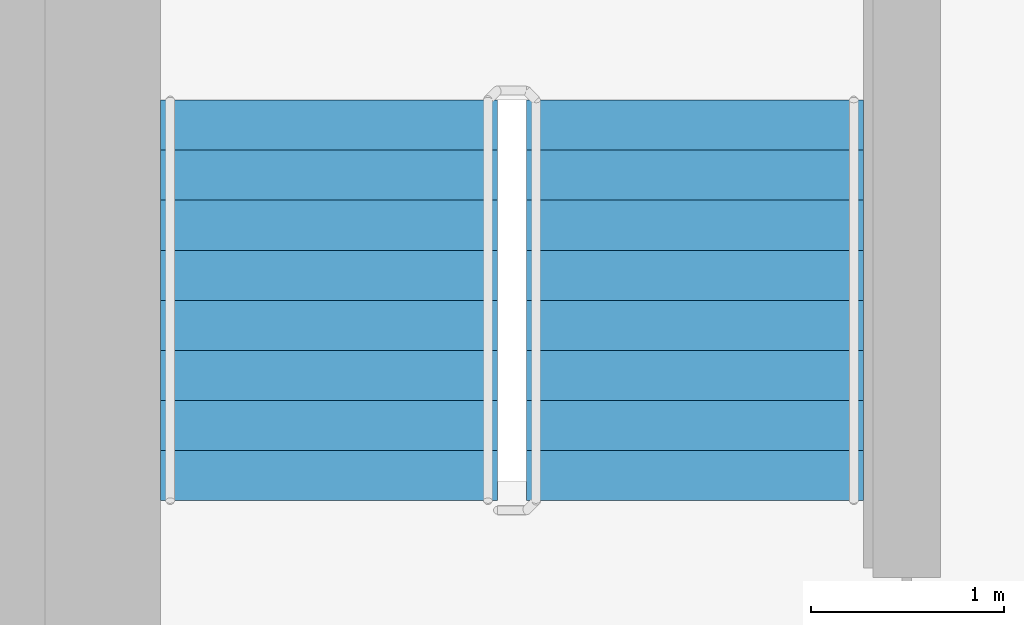
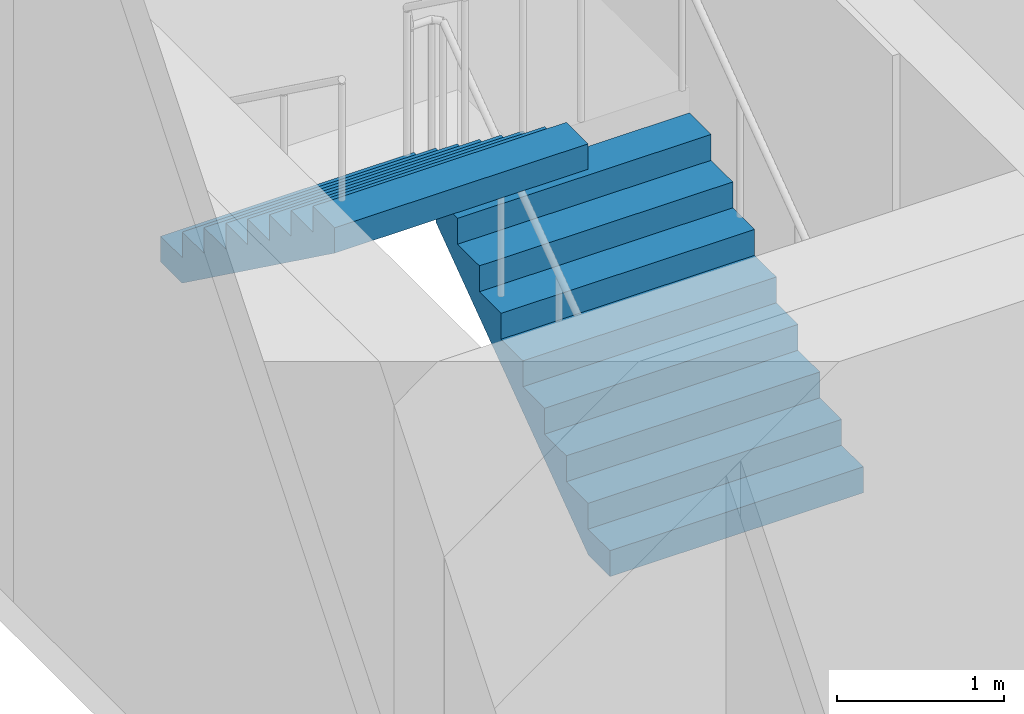
# One storey, part 15 of 18: 2 stair flights, 1 element without a shape of its own.
"""IFC4 building model written with IfcOpenShell, lengths in metres."""

from ifc_helpers import new_model, si_unit, direction, frame, origin, place, context, subcontext, project, spatial, faceted_brep, material, type_object, element, aggregate, save


model = new_model("IFC4")

# Units and contexts
model_context = context("Model", 3, precision=1e-05, world=origin(), true_north=direction((0.0, 1.0)))
body_context = subcontext(model_context, "Body", "Model", "MODEL_VIEW")
ifc_project = project(units=[si_unit("LENGTHUNIT", "METRE"), si_unit("AREAUNIT", "SQUARE_METRE"), si_unit("VOLUMEUNIT", "CUBIC_METRE"), si_unit("PLANEANGLEUNIT", "RADIAN"), si_unit("MASSUNIT", "GRAM", prefix="KILO")], contexts=[model_context])

# Site, building, storey
site_placement = place(None, origin())
site = spatial("IfcSite", under=ifc_project, at=site_placement, CompositionType="ELEMENT")
building_placement = place(site_placement, origin())
building = spatial("IfcBuilding", under=site, at=building_placement, Name="Ipe Terrace Towers", CompositionType="ELEMENT")
storey_placement = place(building_placement, frame((0.0, 0.0, 206.199951171875)))
storey = spatial("IfcBuildingStorey", under=building, at=storey_placement, Name="L57", CompositionType="ELEMENT", Elevation=206.199951171875)

# Stair, stair flights
ifc_material_1 = material(Name="Concrete C30/37", Category="concrete")
stair_type = type_object("IfcStairType", Name="Protected exit stair", PredefinedType="HALF_TURN_STAIR", material=ifc_material_1)
stair_placement = place(storey_placement, origin())
stair = element("IfcStair", 1, at=stair_placement, inside=storey, type_object=stair_type, Name="L57 Exit stair T2-C1", PredefinedType="HALF_TURN_STAIR")
ifc_material_2 = material(Name="Concrete C30/37", Category="concrete")
stair_flight_type = type_object("IfcStairFlightType", Name="Exit stair flight 1750", PredefinedType="STRAIGHT", material=ifc_material_2)
stair_flight_1_placement = place(storey_placement, frame((33.22509765625, 9.699951171875, 0.0), z_axis=(0.0, 0.0, 1.0), x_axis=(0.0, 1.0, 0.0)))
stair_flight_1 = element("IfcStairFlight", 2, at=stair_flight_1_placement, type_object=stair_flight_type, Name="T2-ST1 flight 1", NumberOfRisers=9, NumberOfTreads=8, PredefinedType="STRAIGHT", RiserHeight=0.188888889, TreadLength=0.26, context=body_context, shape_type="Brep", body=[
    faceted_brep([(0.255126953125, -0.875, 0.0), (2.080078125, -0.875, 1.325927734375), (2.080078125, -0.875, 1.51123046875), (1.820068359375, -0.875, 1.51123046875), (1.820068359375, -0.875, 1.322265625), (1.56005859375, -0.875, 1.322265625), (1.56005859375, -0.875, 1.13330078125), (1.300048828125, -0.875, 1.13330078125), (1.300048828125, -0.875, 0.9443359375), (1.0400390625, -0.875, 0.9443359375), (1.0400390625, -0.875, 0.755615234375), (0.780029296875, -0.875, 0.755615234375), (0.780029296875, -0.875, 0.566650390625), (0.52001953125, -0.875, 0.566650390625), (0.52001953125, -0.875, 0.377685546875), (0.260009765625, -0.875, 0.377685546875), (0.260009765625, -0.875, 0.18896484375), (0.0, -0.875, 0.18896484375), (0.0, -0.875, 0.0), (0.0, 0.875, 0.0), (0.0, 0.875, 0.18896484375), (0.260009765625, 0.875, 0.18896484375), (0.260009765625, 0.875, 0.377685546875), (0.52001953125, 0.875, 0.377685546875), (0.52001953125, 0.875, 0.566650390625), (0.780029296875, 0.875, 0.566650390625), (0.780029296875, 0.875, 0.755615234375), (1.0400390625, 0.875, 0.755615234375), (1.0400390625, 0.875, 0.9443359375), (1.300048828125, 0.875, 0.9443359375), (1.300048828125, 0.875, 1.13330078125), (1.56005859375, 0.875, 1.13330078125), (1.56005859375, 0.875, 1.322265625), (1.820068359375, 0.875, 1.322265625), (1.820068359375, 0.875, 1.51123046875), (2.080078125, 0.875, 1.51123046875), (2.080078125, 0.875, 1.325927734375), (0.255126953125, 0.875, 0.0), (0.0, -0.300048828125, 0.18896484375), (0.0, -0.1201171875, 0.18896484375), (0.0, -0.06005859375, 0.18896484375), (0.0, -0.030029296875, 0.18896484375), (0.0, -0.010009765625, 0.18896484375), (0.0, 0.0, 0.18896484375), (0.0, 0.010009765625, 0.18896484375), (0.0, 0.030029296875, 0.18896484375), (0.0, 0.06005859375, 0.18896484375), (0.0, 0.1201171875, 0.18896484375), (0.0, 0.300048828125, 0.18896484375), (0.0, 0.300048828125, 0.0), (0.0, 0.1201171875, 0.0), (0.0, 0.06005859375, 0.0), (0.0, 0.030029296875, 0.0), (0.0, 0.010009765625, 0.0), (0.0, 0.0, 0.0), (0.0, -0.010009765625, 0.0), (0.0, -0.030029296875, 0.0), (0.0, -0.06005859375, 0.0), (0.0, -0.1201171875, 0.0), (0.0, -0.300048828125, 0.0), (0.260009765625, -0.300048828125, 0.18896484375), (0.260009765625, -0.1201171875, 0.18896484375), (0.260009765625, -0.06005859375, 0.18896484375), (0.260009765625, -0.030029296875, 0.18896484375), (0.260009765625, -0.010009765625, 0.18896484375), (0.260009765625, 0.0, 0.18896484375), (0.260009765625, 0.010009765625, 0.18896484375), (0.260009765625, 0.030029296875, 0.18896484375), (0.260009765625, 0.06005859375, 0.18896484375), (0.260009765625, 0.1201171875, 0.18896484375), (0.260009765625, 0.300048828125, 0.18896484375), (0.260009765625, -0.300048828125, 0.377685546875), (0.260009765625, -0.1201171875, 0.377685546875), (0.260009765625, -0.06005859375, 0.377685546875), (0.260009765625, -0.030029296875, 0.377685546875), (0.260009765625, -0.010009765625, 0.377685546875), (0.260009765625, 0.0, 0.377685546875), (0.260009765625, 0.010009765625, 0.377685546875), (0.260009765625, 0.030029296875, 0.377685546875), (0.260009765625, 0.06005859375, 0.377685546875), (0.260009765625, 0.1201171875, 0.377685546875), (0.260009765625, 0.300048828125, 0.377685546875), (0.52001953125, -0.300048828125, 0.377685546875), (0.52001953125, -0.1201171875, 0.377685546875), (0.52001953125, -0.06005859375, 0.377685546875), (0.52001953125, -0.030029296875, 0.377685546875), (0.52001953125, -0.010009765625, 0.377685546875), (0.52001953125, 0.0, 0.377685546875), (0.52001953125, 0.010009765625, 0.377685546875), (0.52001953125, 0.030029296875, 0.377685546875), (0.52001953125, 0.06005859375, 0.377685546875), (0.52001953125, 0.1201171875, 0.377685546875), (0.52001953125, 0.300048828125, 0.377685546875), (0.52001953125, -0.300048828125, 0.566650390625), (0.52001953125, -0.1201171875, 0.566650390625), (0.52001953125, -0.06005859375, 0.566650390625), (0.52001953125, -0.030029296875, 0.566650390625), (0.52001953125, -0.010009765625, 0.566650390625), (0.52001953125, 0.0, 0.566650390625), (0.52001953125, 0.010009765625, 0.566650390625), (0.52001953125, 0.030029296875, 0.566650390625), (0.52001953125, 0.06005859375, 0.566650390625), (0.52001953125, 0.1201171875, 0.566650390625), (0.52001953125, 0.300048828125, 0.566650390625), (0.780029296875, -0.300048828125, 0.566650390625), (0.780029296875, -0.1201171875, 0.566650390625), (0.780029296875, -0.06005859375, 0.566650390625), (0.780029296875, -0.030029296875, 0.566650390625), (0.780029296875, -0.010009765625, 0.566650390625), (0.780029296875, 0.0, 0.566650390625), (0.780029296875, 0.010009765625, 0.566650390625), (0.780029296875, 0.030029296875, 0.566650390625), (0.780029296875, 0.06005859375, 0.566650390625), (0.780029296875, 0.1201171875, 0.566650390625), (0.780029296875, 0.300048828125, 0.566650390625), (0.780029296875, -0.300048828125, 0.755615234375), (0.780029296875, -0.1201171875, 0.755615234375), (0.780029296875, -0.06005859375, 0.755615234375), (0.780029296875, -0.030029296875, 0.755615234375), (0.780029296875, -0.010009765625, 0.755615234375), (0.780029296875, 0.0, 0.755615234375), (0.780029296875, 0.010009765625, 0.755615234375), (0.780029296875, 0.030029296875, 0.755615234375), (0.780029296875, 0.06005859375, 0.755615234375), (0.780029296875, 0.1201171875, 0.755615234375), (0.780029296875, 0.300048828125, 0.755615234375), (1.0400390625, -0.300048828125, 0.755615234375), (1.0400390625, -0.1201171875, 0.755615234375), (1.0400390625, -0.06005859375, 0.755615234375), (1.0400390625, -0.030029296875, 0.755615234375), (1.0400390625, -0.010009765625, 0.755615234375), (1.0400390625, 0.0, 0.755615234375), (1.0400390625, 0.010009765625, 0.755615234375), (1.0400390625, 0.030029296875, 0.755615234375), (1.0400390625, 0.06005859375, 0.755615234375), (1.0400390625, 0.1201171875, 0.755615234375), (1.0400390625, 0.300048828125, 0.755615234375), (1.0400390625, -0.300048828125, 0.9443359375), (1.0400390625, -0.1201171875, 0.9443359375), (1.0400390625, -0.06005859375, 0.9443359375), (1.0400390625, -0.030029296875, 0.9443359375), (1.0400390625, -0.010009765625, 0.9443359375), (1.0400390625, 0.0, 0.9443359375), (1.0400390625, 0.010009765625, 0.9443359375), (1.0400390625, 0.030029296875, 0.9443359375), (1.0400390625, 0.06005859375, 0.9443359375), (1.0400390625, 0.1201171875, 0.9443359375), (1.0400390625, 0.300048828125, 0.9443359375), (1.300048828125, -0.300048828125, 0.9443359375), (1.300048828125, -0.1201171875, 0.9443359375), (1.300048828125, -0.06005859375, 0.9443359375), (1.300048828125, -0.030029296875, 0.9443359375), (1.300048828125, -0.010009765625, 0.9443359375), (1.300048828125, 0.0, 0.9443359375), (1.300048828125, 0.010009765625, 0.9443359375), (1.300048828125, 0.030029296875, 0.9443359375), (1.300048828125, 0.06005859375, 0.9443359375), (1.300048828125, 0.1201171875, 0.9443359375), (1.300048828125, 0.300048828125, 0.9443359375), (1.300048828125, -0.300048828125, 1.13330078125), (1.300048828125, -0.1201171875, 1.13330078125), (1.300048828125, -0.06005859375, 1.13330078125), (1.300048828125, -0.030029296875, 1.13330078125), (1.300048828125, -0.010009765625, 1.13330078125), (1.300048828125, 0.0, 1.13330078125), (1.300048828125, 0.010009765625, 1.13330078125), (1.300048828125, 0.030029296875, 1.13330078125), (1.300048828125, 0.06005859375, 1.13330078125), (1.300048828125, 0.1201171875, 1.13330078125), (1.300048828125, 0.300048828125, 1.13330078125), (1.56005859375, -0.300048828125, 1.13330078125), (1.56005859375, -0.1201171875, 1.13330078125), (1.56005859375, -0.06005859375, 1.13330078125), (1.56005859375, -0.030029296875, 1.13330078125), (1.56005859375, -0.010009765625, 1.13330078125), (1.56005859375, 0.0, 1.13330078125), (1.56005859375, 0.010009765625, 1.13330078125), (1.56005859375, 0.030029296875, 1.13330078125), (1.56005859375, 0.06005859375, 1.13330078125), (1.56005859375, 0.1201171875, 1.13330078125), (1.56005859375, 0.300048828125, 1.13330078125), (1.56005859375, -0.300048828125, 1.322265625), (1.56005859375, -0.1201171875, 1.322265625), (1.56005859375, -0.06005859375, 1.322265625), (1.56005859375, -0.030029296875, 1.322265625), (1.56005859375, -0.010009765625, 1.322265625), (1.56005859375, 0.0, 1.322265625), (1.56005859375, 0.010009765625, 1.322265625), (1.56005859375, 0.030029296875, 1.322265625), (1.56005859375, 0.06005859375, 1.322265625), (1.56005859375, 0.1201171875, 1.322265625), (1.56005859375, 0.300048828125, 1.322265625), (1.820068359375, -0.300048828125, 1.322265625), (1.820068359375, -0.1201171875, 1.322265625), (1.820068359375, -0.06005859375, 1.322265625), (1.820068359375, -0.030029296875, 1.322265625), (1.820068359375, -0.010009765625, 1.322265625), (1.820068359375, 0.0, 1.322265625), (1.820068359375, 0.010009765625, 1.322265625), (1.820068359375, 0.030029296875, 1.322265625), (1.820068359375, 0.06005859375, 1.322265625), (1.820068359375, 0.1201171875, 1.322265625), (1.820068359375, 0.300048828125, 1.322265625), (1.820068359375, -0.300048828125, 1.51123046875), (1.820068359375, -0.1201171875, 1.51123046875), (1.820068359375, -0.06005859375, 1.51123046875), (1.820068359375, -0.030029296875, 1.51123046875), (1.820068359375, -0.010009765625, 1.51123046875), (1.820068359375, 0.0, 1.51123046875), (1.820068359375, 0.010009765625, 1.51123046875), (1.820068359375, 0.030029296875, 1.51123046875), (1.820068359375, 0.06005859375, 1.51123046875), (1.820068359375, 0.1201171875, 1.51123046875), (1.820068359375, 0.300048828125, 1.51123046875), (2.080078125, -0.300048828125, 1.51123046875), (2.080078125, -0.1201171875, 1.51123046875), (2.080078125, -0.06005859375, 1.51123046875), (2.080078125, -0.030029296875, 1.51123046875), (2.080078125, -0.010009765625, 1.51123046875), (2.080078125, 0.0, 1.51123046875), (2.080078125, 0.010009765625, 1.51123046875), (2.080078125, 0.030029296875, 1.51123046875), (2.080078125, 0.06005859375, 1.51123046875), (2.080078125, 0.1201171875, 1.51123046875), (2.080078125, 0.300048828125, 1.51123046875), (2.080078125, -0.300048828125, 1.325927734375), (2.080078125, -0.1201171875, 1.325927734375), (2.080078125, -0.06005859375, 1.325927734375), (2.080078125, -0.030029296875, 1.325927734375), (2.080078125, -0.010009765625, 1.325927734375), (2.080078125, 0.0, 1.325927734375), (2.080078125, 0.010009765625, 1.325927734375), (2.080078125, 0.030029296875, 1.325927734375), (2.080078125, 0.06005859375, 1.325927734375), (2.080078125, 0.1201171875, 1.325927734375), (2.080078125, 0.300048828125, 1.325927734375), (0.255126953125, -0.300048828125, 0.0), (0.255126953125, -0.1201171875, 0.0), (0.255126953125, -0.06005859375, 0.0), (0.255126953125, -0.030029296875, 0.0), (0.255126953125, -0.010009765625, 0.0), (0.255126953125, 0.0, 0.0), (0.255126953125, 0.010009765625, 0.0), (0.255126953125, 0.030029296875, 0.0), (0.255126953125, 0.06005859375, 0.0), (0.255126953125, 0.1201171875, 0.0), (0.255126953125, 0.300048828125, 0.0)], [[[0, 1, 2, 3, 4, 5, 6, 7, 8, 9, 10, 11, 12, 13, 14, 15, 16, 17, 18]], [[19, 20, 21, 22, 23, 24, 25, 26, 27, 28, 29, 30, 31, 32, 33, 34, 35, 36, 37]], [[17, 38, 39, 40, 41, 42, 43, 44, 45, 46, 47, 48, 20, 19, 49, 50, 51, 52, 53, 54, 55, 56, 57, 58, 59, 18]], [[16, 60, 61, 62, 63, 64, 65, 66, 67, 68, 69, 70, 21, 20, 48, 47, 46, 45, 44, 43, 42, 41, 40, 39, 38, 17]], [[15, 71, 72, 73, 74, 75, 76, 77, 78, 79, 80, 81, 22, 21, 70, 69, 68, 67, 66, 65, 64, 63, 62, 61, 60, 16]], [[14, 82, 83, 84, 85, 86, 87, 88, 89, 90, 91, 92, 23, 22, 81, 80, 79, 78, 77, 76, 75, 74, 73, 72, 71, 15]], [[13, 93, 94, 95, 96, 97, 98, 99, 100, 101, 102, 103, 24, 23, 92, 91, 90, 89, 88, 87, 86, 85, 84, 83, 82, 14]], [[12, 104, 105, 106, 107, 108, 109, 110, 111, 112, 113, 114, 25, 24, 103, 102, 101, 100, 99, 98, 97, 96, 95, 94, 93, 13]], [[11, 115, 116, 117, 118, 119, 120, 121, 122, 123, 124, 125, 26, 25, 114, 113, 112, 111, 110, 109, 108, 107, 106, 105, 104, 12]], [[10, 126, 127, 128, 129, 130, 131, 132, 133, 134, 135, 136, 27, 26, 125, 124, 123, 122, 121, 120, 119, 118, 117, 116, 115, 11]], [[9, 137, 138, 139, 140, 141, 142, 143, 144, 145, 146, 147, 28, 27, 136, 135, 134, 133, 132, 131, 130, 129, 128, 127, 126, 10]], [[8, 148, 149, 150, 151, 152, 153, 154, 155, 156, 157, 158, 29, 28, 147, 146, 145, 144, 143, 142, 141, 140, 139, 138, 137, 9]], [[7, 159, 160, 161, 162, 163, 164, 165, 166, 167, 168, 169, 30, 29, 158, 157, 156, 155, 154, 153, 152, 151, 150, 149, 148, 8]], [[6, 170, 171, 172, 173, 174, 175, 176, 177, 178, 179, 180, 31, 30, 169, 168, 167, 166, 165, 164, 163, 162, 161, 160, 159, 7]], [[5, 181, 182, 183, 184, 185, 186, 187, 188, 189, 190, 191, 32, 31, 180, 179, 178, 177, 176, 175, 174, 173, 172, 171, 170, 6]], [[4, 192, 193, 194, 195, 196, 197, 198, 199, 200, 201, 202, 33, 32, 191, 190, 189, 188, 187, 186, 185, 184, 183, 182, 181, 5]], [[3, 203, 204, 205, 206, 207, 208, 209, 210, 211, 212, 213, 34, 33, 202, 201, 200, 199, 198, 197, 196, 195, 194, 193, 192, 4]], [[2, 214, 215, 216, 217, 218, 219, 220, 221, 222, 223, 224, 35, 34, 213, 212, 211, 210, 209, 208, 207, 206, 205, 204, 203, 3]], [[1, 225, 226, 227, 228, 229, 230, 231, 232, 233, 234, 235, 36, 35, 224, 223, 222, 221, 220, 219, 218, 217, 216, 215, 214, 2]], [[0, 236, 237, 238, 239, 240, 241, 242, 243, 244, 245, 246, 37, 36, 235, 234, 233, 232, 231, 230, 229, 228, 227, 226, 225, 1]], [[18, 59, 58, 57, 56, 55, 54, 53, 52, 51, 50, 49, 19, 37, 246, 245, 244, 243, 242, 241, 240, 239, 238, 237, 236, 0]]]),
])
stair_flight_2_placement = place(storey_placement, frame((31.324951171875, 11.780029296875, 1.699951171875), z_axis=(0.0, 0.0, 1.0), x_axis=(0.0, -1.0, 0.0)))
stair_flight_2 = element("IfcStairFlight", 3, at=stair_flight_2_placement, type_object=stair_flight_type, Name="T2-ST1 flight 2", NumberOfRisers=9, NumberOfTreads=8, PredefinedType="STRAIGHT", RiserHeight=0.188888889, TreadLength=0.26, context=body_context, shape_type="Brep", body=[
    faceted_brep([(0.255126953125, -0.875, 0.0), (2.080078125, -0.875, 1.325927734375), (2.080078125, -0.875, 1.51123046875), (1.820068359375, -0.875, 1.51123046875), (1.820068359375, -0.875, 1.322265625), (1.56005859375, -0.875, 1.322265625), (1.56005859375, -0.875, 1.13330078125), (1.300048828125, -0.875, 1.13330078125), (1.300048828125, -0.875, 0.9443359375), (1.0400390625, -0.875, 0.9443359375), (1.0400390625, -0.875, 0.755615234375), (0.780029296875, -0.875, 0.755615234375), (0.780029296875, -0.875, 0.566650390625), (0.52001953125, -0.875, 0.566650390625), (0.52001953125, -0.875, 0.377685546875), (0.260009765625, -0.875, 0.377685546875), (0.260009765625, -0.875, 0.18896484375), (0.0, -0.875, 0.18896484375), (0.0, -0.875, 0.0), (0.0, 0.875, 0.0), (0.0, 0.875, 0.18896484375), (0.260009765625, 0.875, 0.18896484375), (0.260009765625, 0.875, 0.377685546875), (0.52001953125, 0.875, 0.377685546875), (0.52001953125, 0.875, 0.566650390625), (0.780029296875, 0.875, 0.566650390625), (0.780029296875, 0.875, 0.755615234375), (1.0400390625, 0.875, 0.755615234375), (1.0400390625, 0.875, 0.9443359375), (1.300048828125, 0.875, 0.9443359375), (1.300048828125, 0.875, 1.13330078125), (1.56005859375, 0.875, 1.13330078125), (1.56005859375, 0.875, 1.322265625), (1.820068359375, 0.875, 1.322265625), (1.820068359375, 0.875, 1.51123046875), (2.080078125, 0.875, 1.51123046875), (2.080078125, 0.875, 1.325927734375), (0.255126953125, 0.875, 0.0), (0.0, -0.300048828125, 0.18896484375), (0.0, -0.1201171875, 0.18896484375), (0.0, -0.06005859375, 0.18896484375), (0.0, -0.030029296875, 0.18896484375), (0.0, -0.010009765625, 0.18896484375), (0.0, 0.0, 0.18896484375), (0.0, 0.010009765625, 0.18896484375), (0.0, 0.030029296875, 0.18896484375), (0.0, 0.06005859375, 0.18896484375), (0.0, 0.1201171875, 0.18896484375), (0.0, 0.300048828125, 0.18896484375), (0.0, 0.300048828125, 0.0), (0.0, 0.1201171875, 0.0), (0.0, 0.06005859375, 0.0), (0.0, 0.030029296875, 0.0), (0.0, 0.010009765625, 0.0), (0.0, 0.0, 0.0), (0.0, -0.010009765625, 0.0), (0.0, -0.030029296875, 0.0), (0.0, -0.06005859375, 0.0), (0.0, -0.1201171875, 0.0), (0.0, -0.300048828125, 0.0), (0.260009765625, -0.300048828125, 0.18896484375), (0.260009765625, -0.1201171875, 0.18896484375), (0.260009765625, -0.06005859375, 0.18896484375), (0.260009765625, -0.030029296875, 0.18896484375), (0.260009765625, -0.010009765625, 0.18896484375), (0.260009765625, 0.0, 0.18896484375), (0.260009765625, 0.010009765625, 0.18896484375), (0.260009765625, 0.030029296875, 0.18896484375), (0.260009765625, 0.06005859375, 0.18896484375), (0.260009765625, 0.1201171875, 0.18896484375), (0.260009765625, 0.300048828125, 0.18896484375), (0.260009765625, -0.300048828125, 0.377685546875), (0.260009765625, -0.1201171875, 0.377685546875), (0.260009765625, -0.06005859375, 0.377685546875), (0.260009765625, -0.030029296875, 0.377685546875), (0.260009765625, -0.010009765625, 0.377685546875), (0.260009765625, 0.0, 0.377685546875), (0.260009765625, 0.010009765625, 0.377685546875), (0.260009765625, 0.030029296875, 0.377685546875), (0.260009765625, 0.06005859375, 0.377685546875), (0.260009765625, 0.1201171875, 0.377685546875), (0.260009765625, 0.300048828125, 0.377685546875), (0.52001953125, -0.300048828125, 0.377685546875), (0.52001953125, -0.1201171875, 0.377685546875), (0.52001953125, -0.06005859375, 0.377685546875), (0.52001953125, -0.030029296875, 0.377685546875), (0.52001953125, -0.010009765625, 0.377685546875), (0.52001953125, 0.0, 0.377685546875), (0.52001953125, 0.010009765625, 0.377685546875), (0.52001953125, 0.030029296875, 0.377685546875), (0.52001953125, 0.06005859375, 0.377685546875), (0.52001953125, 0.1201171875, 0.377685546875), (0.52001953125, 0.300048828125, 0.377685546875), (0.52001953125, -0.300048828125, 0.566650390625), (0.52001953125, -0.1201171875, 0.566650390625), (0.52001953125, -0.06005859375, 0.566650390625), (0.52001953125, -0.030029296875, 0.566650390625), (0.52001953125, -0.010009765625, 0.566650390625), (0.52001953125, 0.0, 0.566650390625), (0.52001953125, 0.010009765625, 0.566650390625), (0.52001953125, 0.030029296875, 0.566650390625), (0.52001953125, 0.06005859375, 0.566650390625), (0.52001953125, 0.1201171875, 0.566650390625), (0.52001953125, 0.300048828125, 0.566650390625), (0.780029296875, -0.300048828125, 0.566650390625), (0.780029296875, -0.1201171875, 0.566650390625), (0.780029296875, -0.06005859375, 0.566650390625), (0.780029296875, -0.030029296875, 0.566650390625), (0.780029296875, -0.010009765625, 0.566650390625), (0.780029296875, 0.0, 0.566650390625), (0.780029296875, 0.010009765625, 0.566650390625), (0.780029296875, 0.030029296875, 0.566650390625), (0.780029296875, 0.06005859375, 0.566650390625), (0.780029296875, 0.1201171875, 0.566650390625), (0.780029296875, 0.300048828125, 0.566650390625), (0.780029296875, -0.300048828125, 0.755615234375), (0.780029296875, -0.1201171875, 0.755615234375), (0.780029296875, -0.06005859375, 0.755615234375), (0.780029296875, -0.030029296875, 0.755615234375), (0.780029296875, -0.010009765625, 0.755615234375), (0.780029296875, 0.0, 0.755615234375), (0.780029296875, 0.010009765625, 0.755615234375), (0.780029296875, 0.030029296875, 0.755615234375), (0.780029296875, 0.06005859375, 0.755615234375), (0.780029296875, 0.1201171875, 0.755615234375), (0.780029296875, 0.300048828125, 0.755615234375), (1.0400390625, -0.300048828125, 0.755615234375), (1.0400390625, -0.1201171875, 0.755615234375), (1.0400390625, -0.06005859375, 0.755615234375), (1.0400390625, -0.030029296875, 0.755615234375), (1.0400390625, -0.010009765625, 0.755615234375), (1.0400390625, 0.0, 0.755615234375), (1.0400390625, 0.010009765625, 0.755615234375), (1.0400390625, 0.030029296875, 0.755615234375), (1.0400390625, 0.06005859375, 0.755615234375), (1.0400390625, 0.1201171875, 0.755615234375), (1.0400390625, 0.300048828125, 0.755615234375), (1.0400390625, -0.300048828125, 0.9443359375), (1.0400390625, -0.1201171875, 0.9443359375), (1.0400390625, -0.06005859375, 0.9443359375), (1.0400390625, -0.030029296875, 0.9443359375), (1.0400390625, -0.010009765625, 0.9443359375), (1.0400390625, 0.0, 0.9443359375), (1.0400390625, 0.010009765625, 0.9443359375), (1.0400390625, 0.030029296875, 0.9443359375), (1.0400390625, 0.06005859375, 0.9443359375), (1.0400390625, 0.1201171875, 0.9443359375), (1.0400390625, 0.300048828125, 0.9443359375), (1.300048828125, -0.300048828125, 0.9443359375), (1.300048828125, -0.1201171875, 0.9443359375), (1.300048828125, -0.06005859375, 0.9443359375), (1.300048828125, -0.030029296875, 0.9443359375), (1.300048828125, -0.010009765625, 0.9443359375), (1.300048828125, 0.0, 0.9443359375), (1.300048828125, 0.010009765625, 0.9443359375), (1.300048828125, 0.030029296875, 0.9443359375), (1.300048828125, 0.06005859375, 0.9443359375), (1.300048828125, 0.1201171875, 0.9443359375), (1.300048828125, 0.300048828125, 0.9443359375), (1.300048828125, -0.300048828125, 1.13330078125), (1.300048828125, -0.1201171875, 1.13330078125), (1.300048828125, -0.06005859375, 1.13330078125), (1.300048828125, -0.030029296875, 1.13330078125), (1.300048828125, -0.010009765625, 1.13330078125), (1.300048828125, 0.0, 1.13330078125), (1.300048828125, 0.010009765625, 1.13330078125), (1.300048828125, 0.030029296875, 1.13330078125), (1.300048828125, 0.06005859375, 1.13330078125), (1.300048828125, 0.1201171875, 1.13330078125), (1.300048828125, 0.300048828125, 1.13330078125), (1.56005859375, -0.300048828125, 1.13330078125), (1.56005859375, -0.1201171875, 1.13330078125), (1.56005859375, -0.06005859375, 1.13330078125), (1.56005859375, -0.030029296875, 1.13330078125), (1.56005859375, -0.010009765625, 1.13330078125), (1.56005859375, 0.0, 1.13330078125), (1.56005859375, 0.010009765625, 1.13330078125), (1.56005859375, 0.030029296875, 1.13330078125), (1.56005859375, 0.06005859375, 1.13330078125), (1.56005859375, 0.1201171875, 1.13330078125), (1.56005859375, 0.300048828125, 1.13330078125), (1.56005859375, -0.300048828125, 1.322265625), (1.56005859375, -0.1201171875, 1.322265625), (1.56005859375, -0.06005859375, 1.322265625), (1.56005859375, -0.030029296875, 1.322265625), (1.56005859375, -0.010009765625, 1.322265625), (1.56005859375, 0.0, 1.322265625), (1.56005859375, 0.010009765625, 1.322265625), (1.56005859375, 0.030029296875, 1.322265625), (1.56005859375, 0.06005859375, 1.322265625), (1.56005859375, 0.1201171875, 1.322265625), (1.56005859375, 0.300048828125, 1.322265625), (1.820068359375, -0.300048828125, 1.322265625), (1.820068359375, -0.1201171875, 1.322265625), (1.820068359375, -0.06005859375, 1.322265625), (1.820068359375, -0.030029296875, 1.322265625), (1.820068359375, -0.010009765625, 1.322265625), (1.820068359375, 0.0, 1.322265625), (1.820068359375, 0.010009765625, 1.322265625), (1.820068359375, 0.030029296875, 1.322265625), (1.820068359375, 0.06005859375, 1.322265625), (1.820068359375, 0.1201171875, 1.322265625), (1.820068359375, 0.300048828125, 1.322265625), (1.820068359375, -0.300048828125, 1.51123046875), (1.820068359375, -0.1201171875, 1.51123046875), (1.820068359375, -0.06005859375, 1.51123046875), (1.820068359375, -0.030029296875, 1.51123046875), (1.820068359375, -0.010009765625, 1.51123046875), (1.820068359375, 0.0, 1.51123046875), (1.820068359375, 0.010009765625, 1.51123046875), (1.820068359375, 0.030029296875, 1.51123046875), (1.820068359375, 0.06005859375, 1.51123046875), (1.820068359375, 0.1201171875, 1.51123046875), (1.820068359375, 0.300048828125, 1.51123046875), (2.080078125, -0.300048828125, 1.51123046875), (2.080078125, -0.1201171875, 1.51123046875), (2.080078125, -0.06005859375, 1.51123046875), (2.080078125, -0.030029296875, 1.51123046875), (2.080078125, -0.010009765625, 1.51123046875), (2.080078125, 0.0, 1.51123046875), (2.080078125, 0.010009765625, 1.51123046875), (2.080078125, 0.030029296875, 1.51123046875), (2.080078125, 0.06005859375, 1.51123046875), (2.080078125, 0.1201171875, 1.51123046875), (2.080078125, 0.300048828125, 1.51123046875), (2.080078125, -0.300048828125, 1.325927734375), (2.080078125, -0.1201171875, 1.325927734375), (2.080078125, -0.06005859375, 1.325927734375), (2.080078125, -0.030029296875, 1.325927734375), (2.080078125, -0.010009765625, 1.325927734375), (2.080078125, 0.0, 1.325927734375), (2.080078125, 0.010009765625, 1.325927734375), (2.080078125, 0.030029296875, 1.325927734375), (2.080078125, 0.06005859375, 1.325927734375), (2.080078125, 0.1201171875, 1.325927734375), (2.080078125, 0.300048828125, 1.325927734375), (0.255126953125, -0.300048828125, 0.0), (0.255126953125, -0.1201171875, 0.0), (0.255126953125, -0.06005859375, 0.0), (0.255126953125, -0.030029296875, 0.0), (0.255126953125, -0.010009765625, 0.0), (0.255126953125, 0.0, 0.0), (0.255126953125, 0.010009765625, 0.0), (0.255126953125, 0.030029296875, 0.0), (0.255126953125, 0.06005859375, 0.0), (0.255126953125, 0.1201171875, 0.0), (0.255126953125, 0.300048828125, 0.0)], [[[0, 1, 2, 3, 4, 5, 6, 7, 8, 9, 10, 11, 12, 13, 14, 15, 16, 17, 18]], [[19, 20, 21, 22, 23, 24, 25, 26, 27, 28, 29, 30, 31, 32, 33, 34, 35, 36, 37]], [[17, 38, 39, 40, 41, 42, 43, 44, 45, 46, 47, 48, 20, 19, 49, 50, 51, 52, 53, 54, 55, 56, 57, 58, 59, 18]], [[16, 60, 61, 62, 63, 64, 65, 66, 67, 68, 69, 70, 21, 20, 48, 47, 46, 45, 44, 43, 42, 41, 40, 39, 38, 17]], [[15, 71, 72, 73, 74, 75, 76, 77, 78, 79, 80, 81, 22, 21, 70, 69, 68, 67, 66, 65, 64, 63, 62, 61, 60, 16]], [[14, 82, 83, 84, 85, 86, 87, 88, 89, 90, 91, 92, 23, 22, 81, 80, 79, 78, 77, 76, 75, 74, 73, 72, 71, 15]], [[13, 93, 94, 95, 96, 97, 98, 99, 100, 101, 102, 103, 24, 23, 92, 91, 90, 89, 88, 87, 86, 85, 84, 83, 82, 14]], [[12, 104, 105, 106, 107, 108, 109, 110, 111, 112, 113, 114, 25, 24, 103, 102, 101, 100, 99, 98, 97, 96, 95, 94, 93, 13]], [[11, 115, 116, 117, 118, 119, 120, 121, 122, 123, 124, 125, 26, 25, 114, 113, 112, 111, 110, 109, 108, 107, 106, 105, 104, 12]], [[10, 126, 127, 128, 129, 130, 131, 132, 133, 134, 135, 136, 27, 26, 125, 124, 123, 122, 121, 120, 119, 118, 117, 116, 115, 11]], [[9, 137, 138, 139, 140, 141, 142, 143, 144, 145, 146, 147, 28, 27, 136, 135, 134, 133, 132, 131, 130, 129, 128, 127, 126, 10]], [[8, 148, 149, 150, 151, 152, 153, 154, 155, 156, 157, 158, 29, 28, 147, 146, 145, 144, 143, 142, 141, 140, 139, 138, 137, 9]], [[7, 159, 160, 161, 162, 163, 164, 165, 166, 167, 168, 169, 30, 29, 158, 157, 156, 155, 154, 153, 152, 151, 150, 149, 148, 8]], [[6, 170, 171, 172, 173, 174, 175, 176, 177, 178, 179, 180, 31, 30, 169, 168, 167, 166, 165, 164, 163, 162, 161, 160, 159, 7]], [[5, 181, 182, 183, 184, 185, 186, 187, 188, 189, 190, 191, 32, 31, 180, 179, 178, 177, 176, 175, 174, 173, 172, 171, 170, 6]], [[4, 192, 193, 194, 195, 196, 197, 198, 199, 200, 201, 202, 33, 32, 191, 190, 189, 188, 187, 186, 185, 184, 183, 182, 181, 5]], [[3, 203, 204, 205, 206, 207, 208, 209, 210, 211, 212, 213, 34, 33, 202, 201, 200, 199, 198, 197, 196, 195, 194, 193, 192, 4]], [[2, 214, 215, 216, 217, 218, 219, 220, 221, 222, 223, 224, 35, 34, 213, 212, 211, 210, 209, 208, 207, 206, 205, 204, 203, 3]], [[1, 225, 226, 227, 228, 229, 230, 231, 232, 233, 234, 235, 36, 35, 224, 223, 222, 221, 220, 219, 218, 217, 216, 215, 214, 2]], [[0, 236, 237, 238, 239, 240, 241, 242, 243, 244, 245, 246, 37, 36, 235, 234, 233, 232, 231, 230, 229, 228, 227, 226, 225, 1]], [[18, 59, 58, 57, 56, 55, 54, 53, 52, 51, 50, 49, 19, 37, 246, 245, 244, 243, 242, 241, 240, 239, 238, 237, 236, 0]]]),
])
aggregate(stair, [stair_flight_1, stair_flight_2])

save(model, "model.ifc")
